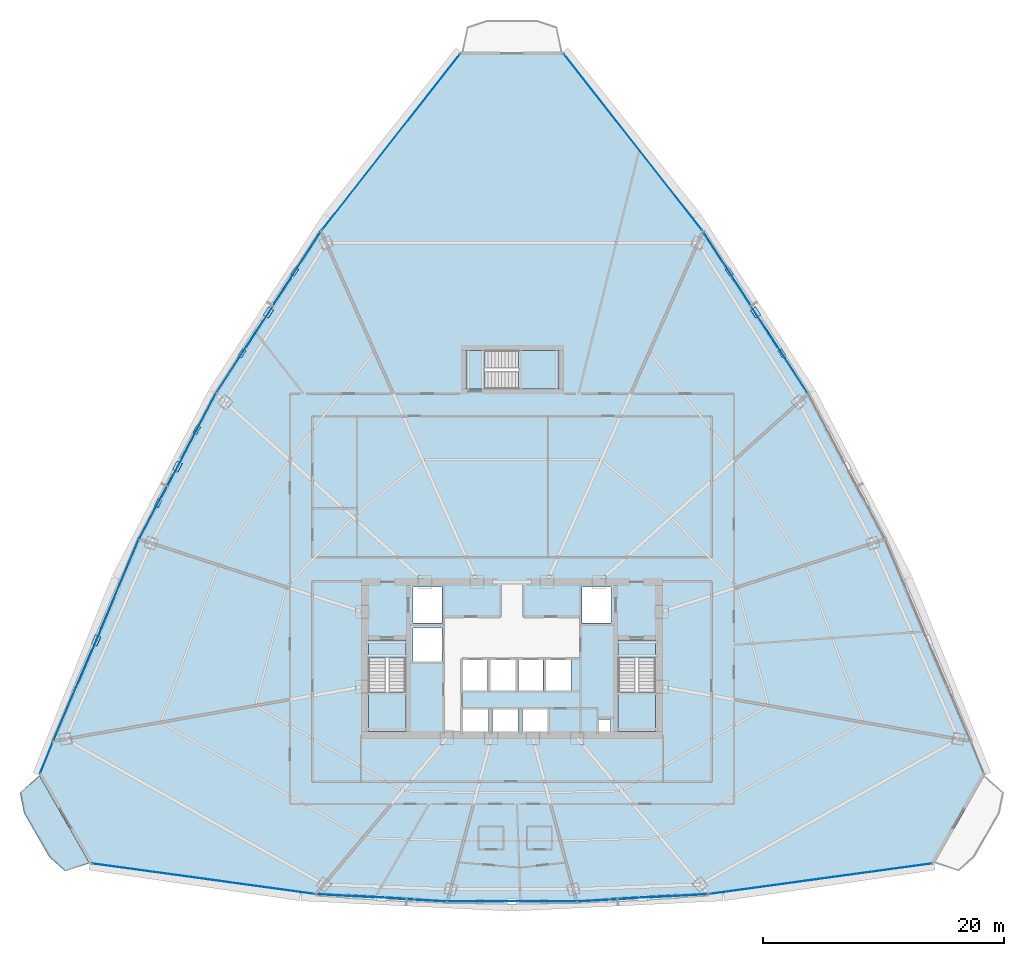
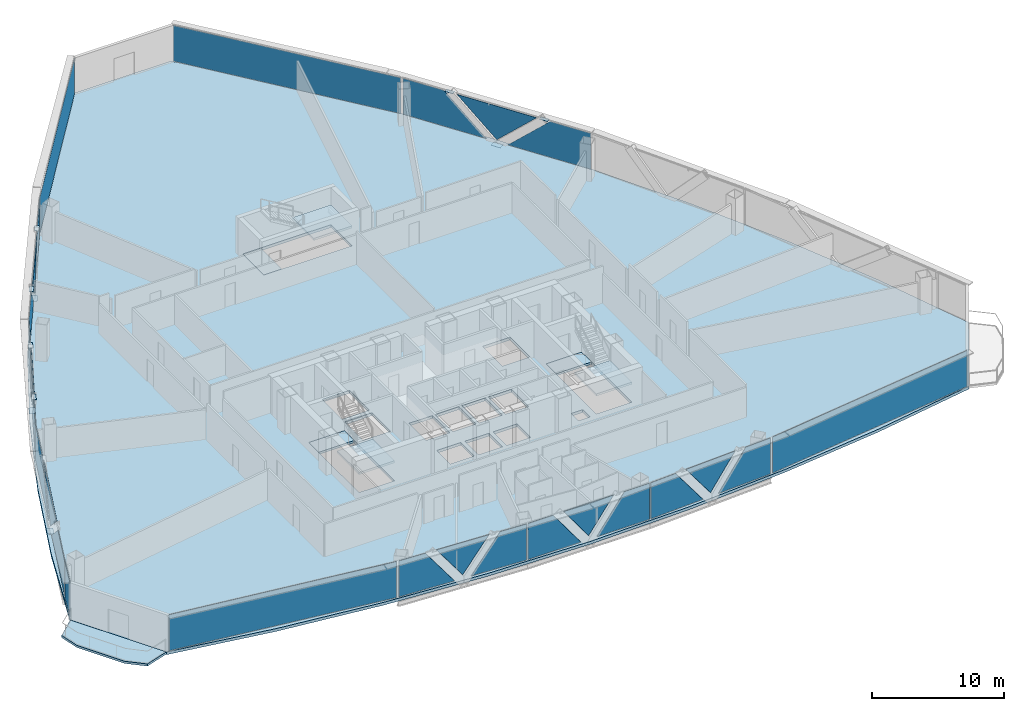
# One storey, part 30 of 39: 36 plates, 8 slabs, 15 elements without a shape of their own.
"""IFC4 building model written with IfcOpenShell, lengths in metres."""

from ifc_helpers import new_model, si_unit, direction, frame, origin, origin_2d, place, context, subcontext, project, spatial, polyline, rectangle, outline, extrude, source, transform, mapped, material, layer, layer_set, type_object, element, aggregate, save


model = new_model("IFC4")

# Units and contexts
model_context = context("Model", 3, precision=1e-05, world=origin(), true_north=direction((0.0, 1.0)))
body_context = subcontext(model_context, "Body", "Model", "MODEL_VIEW")
ifc_project = project(units=[si_unit("LENGTHUNIT", "METRE"), si_unit("AREAUNIT", "SQUARE_METRE"), si_unit("VOLUMEUNIT", "CUBIC_METRE"), si_unit("PLANEANGLEUNIT", "RADIAN"), si_unit("MASSUNIT", "GRAM", prefix="KILO"), si_unit("THERMODYNAMICTEMPERATUREUNIT", "KELVIN"), si_unit("POWERUNIT", "WATT")], contexts=[model_context])

# Site, building, storey
site_placement = place(None, origin())
site = spatial("IfcSite", under=ifc_project, at=site_placement, CompositionType="ELEMENT")
building_placement = place(site_placement, origin())
building = spatial("IfcBuilding", under=site, at=building_placement, Name="Yunzhuo Pagoda Commons", CompositionType="ELEMENT")
storey_placement = place(building_placement, frame((0.0, 0.0, 166.6298828125)))
storey = spatial("IfcBuildingStorey", under=building, at=storey_placement, Name="L42", CompositionType="ELEMENT", Elevation=166.6298828125)

# Curtain wall, plates
ifc_material_1 = material(Name="Anodized aluminium 6063-T6", Category="aluminium")
ifc_layer_1 = layer(ifc_material_1, 0.14990234375)
ifc_layer_set_1 = layer_set([ifc_layer_1], Name="Anodized aluminium 6063-T6")
curtain_wall_type = type_object("IfcCurtainWallType", Name="CW-MID Mid-Zone Ribbon Curtain Wall", PredefinedType="NOTDEFINED", material=ifc_layer_set_1)
curtain_wall_1_placement = place(storey_placement, origin())
curtain_wall_1 = element("IfcCurtainWall", 1, at=curtain_wall_1_placement, inside=storey, type_object=curtain_wall_type, Name="L42 curtain wall CW-L42-F1B2", PredefinedType="NOTDEFINED")
ifc_material_2 = material(Name="Tempered low-e double glazing", Category="glass")
ifc_layer_2 = layer(ifc_material_2, 0.028076171875)
ifc_layer_set_2 = layer_set([ifc_layer_2], Name="Tempered low-e double glazing")
plate_type_1 = type_object("IfcPlateType", Name="CW-MID-P Low-E Double Glazing 28", PredefinedType="CURTAIN_PANEL", material=ifc_layer_set_2)
plate_1_placement = place(storey_placement, frame((34.143310546875, 14.200439453125, 1.710205078125), z_axis=(-0.056298716731, -0.998413969501, 0.0), x_axis=(0.998413969501, -0.056298716731, 0.0)))
plate_1 = element("IfcPlate", 2, at=plate_1_placement, type_object=plate_type_1, Name="CW panel 1.1 lite 1", PredefinedType="CURTAIN_PANEL", context=body_context, shape_type="SweptSolid", body=[
    extrude(outline(polyline([(-2.3466796875, -1.655029296875), (2.3466796875, -1.655029296875), (-0.10888671875, 1.655029296875), (-2.3466796875, 1.655029296875), (-2.3466796875, -1.655029296875)])), origin(), (0.0, 0.0, 1.0), 0.028076171875),
])
plate_2_placement = place(storey_placement, frame((37.19384765625, 14.05859375, 1.87158203125), z_axis=(-0.056298716731, -0.998413969501, 0.0), x_axis=(0.998413969501, -0.056298716731, 0.0)))
plate_2 = element("IfcPlate", 3, at=plate_2_placement, type_object=plate_type_1, Name="CW panel 1.1 lite 2", PredefinedType="CURTAIN_PANEL", context=body_context, shape_type="SweptSolid", body=[
    extrude(outline(polyline([(-2.216064453125, 1.49365234375), (0.0, -1.49365234375), (2.216064453125, 1.49365234375), (-2.216064453125, 1.49365234375)])), origin(), (0.0, 0.0, 1.0), 0.028076171875),
])
plate_3_placement = place(storey_placement, frame((40.24072265625, 13.856689453125, 1.710205078125), z_axis=(-0.056298716731, -0.998413969501, 0.0), x_axis=(0.998413969501, -0.056298716731, 0.0)))
plate_3 = element("IfcPlate", 4, at=plate_3_placement, type_object=plate_type_1, Name="CW panel 1.1 lite 3", PredefinedType="CURTAIN_PANEL", context=body_context, shape_type="SweptSolid", body=[
    extrude(outline(polyline([(-2.3466796875, -1.655029296875), (2.3466796875, -1.655029296875), (2.3466796875, 1.655029296875), (0.10888671875, 1.655029296875), (-2.3466796875, -1.655029296875)])), origin(), (0.0, 0.0, 1.0), 0.028076171875),
])
aggregate(curtain_wall_1, [plate_1, plate_2, plate_3])

curtain_wall_2_placement = place(storey_placement, origin())
curtain_wall_2 = element("IfcCurtainWall", 5, at=curtain_wall_2_placement, inside=storey, type_object=curtain_wall_type, Name="L42 curtain wall CW-L42-F1B3", PredefinedType="NOTDEFINED")
plate_4_placement = place(storey_placement, frame((45.001708984375, 13.72119140625, 1.710205078125), z_axis=(0.0, -1.0, 0.0), x_axis=(1.0, 0.0, 0.0)))
plate_4 = element("IfcPlate", 6, at=plate_4_placement, type_object=plate_type_1, Name="CW panel 1.1 lite 1", PredefinedType="CURTAIN_PANEL", context=body_context, shape_type="SweptSolid", body=[
    extrude(outline(polyline([(-2.298828125, -1.655029296875), (2.298828125, -1.655029296875), (-0.1103515625, 1.655029296875), (-2.298828125, 1.655029296875), (-2.298828125, -1.655029296875)])), origin(), (0.0, 0.0, 1.0), 0.028076171875),
])
plate_5_placement = place(storey_placement, frame((48.0, 13.75146484375, 1.87548828125), z_axis=(0.0, -1.0, 0.0), x_axis=(1.0, 0.0, 0.0)))
plate_5 = element("IfcPlate", 7, at=plate_5_placement, type_object=plate_type_1, Name="CW panel 1.1 lite 2", PredefinedType="CURTAIN_PANEL", context=body_context, shape_type="SweptSolid", body=[
    extrude(outline(polyline([(-2.168701171875, 1.489501953125), (0.0, -1.48974609375), (2.168701171875, 1.489501953125), (-2.168701171875, 1.489501953125)])), origin(), (0.0, 0.0, 1.0), 0.028076171875),
])
plate_6_placement = place(storey_placement, frame((50.998291015625, 13.72119140625, 1.710205078125), z_axis=(0.0, -1.0, 0.0), x_axis=(1.0, 0.0, 0.0)))
plate_6 = element("IfcPlate", 8, at=plate_6_placement, type_object=plate_type_1, Name="CW panel 1.1 lite 3", PredefinedType="CURTAIN_PANEL", context=body_context, shape_type="SweptSolid", body=[
    extrude(outline(polyline([(-2.298828125, -1.655029296875), (2.298828125, -1.655029296875), (2.298828125, 1.655029296875), (0.1103515625, 1.655029296875), (-2.298828125, -1.655029296875)])), origin(), (0.0, 0.0, 1.0), 0.028076171875),
])
aggregate(curtain_wall_2, [plate_4, plate_5, plate_6])

curtain_wall_3_placement = place(storey_placement, origin())
curtain_wall_3 = element("IfcCurtainWall", 9, at=curtain_wall_3_placement, inside=storey, type_object=curtain_wall_type, Name="L42 curtain wall CW-L42-F1B4", PredefinedType="NOTDEFINED")
plate_7_placement = place(storey_placement, frame((55.75927734375, 13.856689453125, 1.710205078125), z_axis=(0.056298716731, -0.998413969501, 0.0), x_axis=(0.998413969501, 0.056298716731, 0.0)))
plate_7 = element("IfcPlate", 10, at=plate_7_placement, type_object=plate_type_1, Name="CW panel 1.1 lite 1", PredefinedType="CURTAIN_PANEL", context=body_context, shape_type="SweptSolid", body=[
    extrude(outline(polyline([(-2.3466796875, -1.655029296875), (2.3466796875, -1.655029296875), (-0.10888671875, 1.655029296875), (-2.3466796875, 1.655029296875), (-2.3466796875, -1.655029296875)])), origin(), (0.0, 0.0, 1.0), 0.028076171875),
])
plate_8_placement = place(storey_placement, frame((58.80615234375, 14.05859375, 1.87158203125), z_axis=(0.056298716731, -0.998413969501, 0.0), x_axis=(0.998413969501, 0.056298716731, 0.0)))
plate_8 = element("IfcPlate", 11, at=plate_8_placement, type_object=plate_type_1, Name="CW panel 1.1 lite 2", PredefinedType="CURTAIN_PANEL", context=body_context, shape_type="SweptSolid", body=[
    extrude(outline(polyline([(-2.216064453125, 1.49365234375), (0.0, -1.49365234375), (2.216064453125, 1.49365234375), (-2.216064453125, 1.49365234375)])), origin(), (0.0, 0.0, 1.0), 0.028076171875),
])
plate_9_placement = place(storey_placement, frame((61.856689453125, 14.200439453125, 1.710205078125), z_axis=(0.056298716731, -0.998413969501, 0.0), x_axis=(0.998413969501, 0.056298716731, 0.0)))
plate_9 = element("IfcPlate", 12, at=plate_9_placement, type_object=plate_type_1, Name="CW panel 1.1 lite 3", PredefinedType="CURTAIN_PANEL", context=body_context, shape_type="SweptSolid", body=[
    extrude(outline(polyline([(-2.3466796875, -1.655029296875), (2.3466796875, -1.655029296875), (2.3466796875, 1.655029296875), (0.10888671875, 1.655029296875), (-2.3466796875, -1.655029296875)])), origin(), (0.0, 0.0, 1.0), 0.028076171875),
])
aggregate(curtain_wall_3, [plate_7, plate_8, plate_9])

curtain_wall_4_placement = place(storey_placement, origin())
curtain_wall_4 = element("IfcCurtainWall", 13, at=curtain_wall_4_placement, inside=storey, type_object=curtain_wall_type, Name="L42 curtain wall CW-L42-F2B4", PredefinedType="NOTDEFINED")
plate_10_placement = place(storey_placement, frame((70.5859375, 58.804443359375, 1.710205078125), z_axis=(0.839466065689, 0.543412113002, 0.0), x_axis=(-0.543412113002, 0.839466065689, 0.0)))
plate_10 = element("IfcPlate", 14, at=plate_10_placement, type_object=plate_type_1, Name="CW panel 1.1 lite 1", PredefinedType="CURTAIN_PANEL", context=body_context, shape_type="SweptSolid", body=[
    extrude(outline(polyline([(-3.52587890625, -1.655029296875), (3.52587890625, -1.655029296875), (-0.07958984375, 1.655029296875), (-3.52587890625, 1.655029296875), (-3.52587890625, -1.655029296875)])), origin(), (0.0, 0.0, 1.0), 0.028076171875),
])
plate_11_placement = place(storey_placement, frame((68.15283203125, 62.5078125, 1.810546875), z_axis=(0.839466065689, 0.543412113002, 0.0), x_axis=(-0.543412113002, 0.839466065689, 0.0)))
plate_11 = element("IfcPlate", 15, at=plate_11_placement, type_object=plate_type_1, Name="CW panel 1.1 lite 2", PredefinedType="CURTAIN_PANEL", context=body_context, shape_type="SweptSolid", body=[
    extrude(outline(polyline([(-3.38671875, 1.5546875), (0.0, -1.5546875), (3.38671875, 1.5546875), (-3.38671875, 1.5546875)])), origin(), (0.0, 0.0, 1.0), 0.028076171875),
])
plate_12_placement = place(storey_placement, frame((65.770263671875, 66.243896484375, 1.710205078125), z_axis=(0.839466065689, 0.543412113002, 0.0), x_axis=(-0.543412113002, 0.839466065689, 0.0)))
plate_12 = element("IfcPlate", 16, at=plate_12_placement, type_object=plate_type_1, Name="CW panel 1.1 lite 3", PredefinedType="CURTAIN_PANEL", context=body_context, shape_type="SweptSolid", body=[
    extrude(outline(polyline([(-3.52587890625, -1.655029296875), (3.52587890625, -1.655029296875), (3.52587890625, 1.655029296875), (0.07958984375, 1.655029296875), (-3.52587890625, -1.655029296875)])), origin(), (0.0, 0.0, 1.0), 0.028076171875),
])
aggregate(curtain_wall_4, [plate_10, plate_11, plate_12])

curtain_wall_5_placement = place(storey_placement, origin())
curtain_wall_5 = element("IfcCurtainWall", 17, at=curtain_wall_5_placement, inside=storey, type_object=curtain_wall_type, Name="L42 curtain wall CW-L42-F3B2", PredefinedType="NOTDEFINED")
plate_13_placement = place(storey_placement, frame((30.229736328125, 66.243896484375, 1.710205078125), z_axis=(-0.839466065689, 0.543412113002, 0.0), x_axis=(-0.543412113002, -0.839466065689, 0.0)))
plate_13 = element("IfcPlate", 18, at=plate_13_placement, type_object=plate_type_1, Name="CW panel 1.1 lite 1", PredefinedType="CURTAIN_PANEL", context=body_context, shape_type="SweptSolid", body=[
    extrude(outline(polyline([(-3.52587890625, -1.655029296875), (3.52587890625, -1.655029296875), (-0.07958984375, 1.655029296875), (-3.52587890625, 1.655029296875), (-3.52587890625, -1.655029296875)])), origin(), (0.0, 0.0, 1.0), 0.028076171875),
])
plate_14_placement = place(storey_placement, frame((27.84716796875, 62.5078125, 1.810546875), z_axis=(-0.839466065689, 0.543412113002, 0.0), x_axis=(-0.543412113002, -0.839466065689, 0.0)))
plate_14 = element("IfcPlate", 19, at=plate_14_placement, type_object=plate_type_1, Name="CW panel 1.1 lite 2", PredefinedType="CURTAIN_PANEL", context=body_context, shape_type="SweptSolid", body=[
    extrude(outline(polyline([(-3.38671875, 1.5546875), (0.0, -1.5546875), (3.38671875, 1.5546875), (-3.38671875, 1.5546875)])), origin(), (0.0, 0.0, 1.0), 0.028076171875),
])
plate_15_placement = place(storey_placement, frame((25.4140625, 58.804443359375, 1.710205078125), z_axis=(-0.839466065689, 0.543412113002, 0.0), x_axis=(-0.543412113002, -0.839466065689, 0.0)))
plate_15 = element("IfcPlate", 20, at=plate_15_placement, type_object=plate_type_1, Name="CW panel 1.1 lite 3", PredefinedType="CURTAIN_PANEL", context=body_context, shape_type="SweptSolid", body=[
    extrude(outline(polyline([(-3.52587890625, -1.655029296875), (3.52587890625, -1.655029296875), (3.52587890625, 1.655029296875), (0.07958984375, 1.655029296875), (-3.52587890625, -1.655029296875)])), origin(), (0.0, 0.0, 1.0), 0.028076171875),
])
aggregate(curtain_wall_5, [plate_13, plate_14, plate_15])

curtain_wall_6_placement = place(storey_placement, origin())
curtain_wall_6 = element("IfcCurtainWall", 21, at=curtain_wall_6_placement, inside=storey, type_object=curtain_wall_type, Name="L42 curtain wall CW-L42-F3B3", PredefinedType="NOTDEFINED")
plate_16_placement = place(storey_placement, frame((22.04931640625, 53.1123046875, 1.710205078125), z_axis=(-0.88426270096, 0.466989802556, 0.0), x_axis=(-0.466989802556, -0.88426270096, 0.0)))
plate_16 = element("IfcPlate", 22, at=plate_16_placement, type_object=plate_type_1, Name="CW panel 1.1 lite 1", PredefinedType="CURTAIN_PANEL", context=body_context, shape_type="SweptSolid", body=[
    extrude(outline(polyline([(-2.973876953125, -1.655029296875), (2.973876953125, -1.655029296875), (-0.092041015625, 1.655029296875), (-2.973876953125, 1.655029296875), (-2.973876953125, -1.655029296875)])), origin(), (0.0, 0.0, 1.0), 0.028076171875),
])
plate_17_placement = place(storey_placement, frame((20.308837890625, 49.75244140625, 1.832275390625), z_axis=(-0.88426270096, 0.466989802556, 0.0), x_axis=(-0.466989802556, -0.88426270096, 0.0)))
plate_17 = element("IfcPlate", 23, at=plate_17_placement, type_object=plate_type_1, Name="CW panel 1.1 lite 2", PredefinedType="CURTAIN_PANEL", context=body_context, shape_type="SweptSolid", body=[
    extrude(outline(polyline([(-2.83984375, 1.532958984375), (0.0, -1.532958984375), (2.83984375, 1.532958984375), (-2.83984375, 1.532958984375)])), origin(), (0.0, 0.0, 1.0), 0.028076171875),
])
plate_18_placement = place(storey_placement, frame((18.515380859375, 46.4208984375, 1.710205078125), z_axis=(-0.88426270096, 0.466989802556, 0.0), x_axis=(-0.466989802556, -0.88426270096, 0.0)))
plate_18 = element("IfcPlate", 24, at=plate_18_placement, type_object=plate_type_1, Name="CW panel 1.1 lite 3", PredefinedType="CURTAIN_PANEL", context=body_context, shape_type="SweptSolid", body=[
    extrude(outline(polyline([(-2.97412109375, -1.655029296875), (2.973876953125, -1.655029296875), (2.973876953125, 1.655029296875), (0.092041015625, 1.655029296875), (-2.97412109375, -1.655029296875)])), origin(), (0.0, 0.0, 1.0), 0.028076171875),
])
aggregate(curtain_wall_6, [plate_16, plate_17, plate_18])

curtain_wall_7_placement = place(storey_placement, origin())
curtain_wall_7 = element("IfcCurtainWall", 25, at=curtain_wall_7_placement, inside=storey, type_object=curtain_wall_type, Name="L42 curtain wall CW-L42-F3B4", PredefinedType="NOTDEFINED")
plate_19_placement = place(storey_placement, frame((15.502197265625, 39.981201171875, 1.710205078125), z_axis=(-0.920363798122, 0.391063267395, 0.0), x_axis=(-0.391063267395, -0.920363798122, 0.0)))
plate_19 = element("IfcPlate", 26, at=plate_19_placement, type_object=plate_type_1, Name="CW panel 1.1 lite 1", PredefinedType="CURTAIN_PANEL", context=body_context, shape_type="SweptSolid", body=[
    extrude(outline(polyline([(-4.023193359375, -1.655029296875), (4.023193359375, -1.655029296875), (-0.069580078125, 1.655029296875), (-4.023193359375, 1.655029296875), (-4.023193359375, -1.655029296875)])), origin(), (0.0, 0.0, 1.0), 0.028076171875),
])
plate_20_placement = place(storey_placement, frame((13.568115234375, 35.352294921875, 1.797119140625), z_axis=(-0.920363798122, 0.391063267395, 0.0), x_axis=(-0.391063267395, -0.920363798122, 0.0)))
plate_20 = element("IfcPlate", 27, at=plate_20_placement, type_object=plate_type_1, Name="CW panel 1.1 lite 2", PredefinedType="CURTAIN_PANEL", context=body_context, shape_type="SweptSolid", body=[
    extrude(outline(polyline([(-3.877685546875, 1.568115234375), (0.0, -1.568115234375), (3.877685546875, 1.568115234375), (-3.877685546875, 1.568115234375)])), origin(), (0.0, 0.0, 1.0), 0.028076171875),
])
plate_21_placement = place(storey_placement, frame((11.578369140625, 30.74658203125, 1.710205078125), z_axis=(-0.920363798122, 0.391063267395, 0.0), x_axis=(-0.391063267395, -0.920363798122, 0.0)))
plate_21 = element("IfcPlate", 28, at=plate_21_placement, type_object=plate_type_1, Name="CW panel 1.1 lite 3", PredefinedType="CURTAIN_PANEL", context=body_context, shape_type="SweptSolid", body=[
    extrude(outline(polyline([(-4.02294921875, -1.655029296875), (4.02294921875, -1.655029296875), (4.02294921875, 1.655029296875), (0.0693359375, 1.655029296875), (-4.02294921875, -1.655029296875)])), origin(), (0.0, 0.0, 1.0), 0.028076171875),
])
aggregate(curtain_wall_7, [plate_19, plate_20, plate_21])

# Slab
ifc_material_3 = material(Name="Concrete C40", Category="concrete")
ifc_layer_3 = layer(ifc_material_3, 0.199951171875)
ifc_layer_set_3 = layer_set([ifc_layer_3], Name="Concrete C40")
slab_type_1 = type_object("IfcSlabType", Name="SL-BAL Vertex Balcony Deck Slab 200", PredefinedType="FLOOR", material=ifc_layer_set_3)
slab_1_placement = place(storey_placement, frame((0.0, 0.0, -0.199951171875)))
element("IfcSlab", 29, at=slab_1_placement, inside=storey, type_object=slab_type_1, Name="L42 corner balcony V1", PredefinedType="FLOOR", context=body_context, shape_type="SweptSolid", body=[
    extrude(outline(polyline([(8.81396484375, 24.16455078125), (12.994384765625, 16.883544921875), (10.95361328125, 16.230712890625), (9.655517578125, 17.38671875), (7.565185546875, 21.02734375), (7.22119140625, 22.731201171875), (8.81396484375, 24.16455078125)])), origin(), (0.0, 0.0, 1.0), 0.199951171875),
])

# Stair, slabs
stair_type_1 = type_object("IfcStairType", Name="ST-C1 Core Smokeproof Stair ST1", PredefinedType="HALF_TURN_STAIR", material=ifc_material_3)
stair_1_placement = place(storey_placement, origin())
stair_1 = element("IfcStair", 30, at=stair_1_placement, inside=storey, type_object=stair_type_1, Name="L42 Core smokeproof stair ST1", PredefinedType="HALF_TURN_STAIR")
ifc_layer_4 = layer(ifc_material_3, 0.199951171875)
ifc_layer_set_4 = layer_set([ifc_layer_4], Name="Concrete C40")
slab_type_2 = type_object("IfcSlabType", Name="SL-LND1 Stair Landing Slab 200", PredefinedType="LANDING", material=ifc_layer_set_4)
slab_2_placement = place(storey_placement, frame((0.0, 0.0, 1.64013671875)))
slab_2 = element("IfcSlab", 31, at=slab_2_placement, type_object=slab_type_2, Name="ST1 landing 1", PredefinedType="LANDING", context=body_context, shape_type="SweptSolid", body=[
    extrude(outline(polyline([(36.10009765625, 31.10009765625), (36.10009765625, 27.800048828125), (39.199951171875, 27.800048828125), (39.199951171875, 31.10009765625), (36.10009765625, 31.10009765625)])), origin(), (0.0, 0.0, 1.0), 0.199951171875),
])
slab_3_placement = place(storey_placement, frame((0.0, 0.0, -0.199951171875)))
slab_3 = element("IfcSlab", 32, at=slab_3_placement, type_object=slab_type_2, Name="ST1 floor landing L42", PredefinedType="LANDING", context=body_context, shape_type="SweptSolid", body=[
    extrude(outline(polyline([(36.10009765625, 35.39990234375), (36.10009765625, 33.89990234375), (39.199951171875, 33.89990234375), (39.199951171875, 35.39990234375), (36.10009765625, 35.39990234375)])), origin(), (0.0, 0.0, 1.0), 0.199951171875),
])
aggregate(stair_1, [slab_2, slab_3])

stair_type_2 = type_object("IfcStairType", Name="ST-C2 Core Smokeproof Stair ST2", PredefinedType="HALF_TURN_STAIR", material=ifc_material_3)
stair_2_placement = place(storey_placement, origin())
stair_2 = element("IfcStair", 33, at=stair_2_placement, inside=storey, type_object=stair_type_2, Name="L42 Core smokeproof stair ST2", PredefinedType="HALF_TURN_STAIR")
ifc_layer_5 = layer(ifc_material_3, 0.201904296875)
ifc_layer_set_5 = layer_set([ifc_layer_5], Name="Concrete C40")
slab_type_3 = type_object("IfcSlabType", Name="SL-LND2 Stair Landing Slab 202", PredefinedType="LANDING", material=ifc_layer_set_5)
slab_4_placement = place(storey_placement, frame((0.0, 0.0, 1.64013671875)))
slab_4 = element("IfcSlab", 34, at=slab_4_placement, type_object=slab_type_3, Name="ST2 landing 1", PredefinedType="LANDING", context=body_context, shape_type="SweptSolid", body=[
    extrude(outline(polyline([(56.800048828125, 31.10009765625), (56.800048828125, 27.800048828125), (59.89990234375, 27.800048828125), (59.89990234375, 31.10009765625), (56.800048828125, 31.10009765625)])), origin(), (0.0, 0.0, 1.0), 0.199951171875),
])
slab_5_placement = place(storey_placement, frame((0.0, 0.0, -0.199951171875)))
slab_5 = element("IfcSlab", 35, at=slab_5_placement, type_object=slab_type_3, Name="ST2 floor landing L42", PredefinedType="LANDING", context=body_context, shape_type="SweptSolid", body=[
    extrude(outline(polyline([(56.800048828125, 35.39990234375), (56.800048828125, 33.89990234375), (59.89990234375, 33.89990234375), (59.89990234375, 35.39990234375), (56.800048828125, 35.39990234375)])), origin(), (0.0, 0.0, 1.0), 0.199951171875),
])
aggregate(stair_2, [slab_4, slab_5])

stair_type_3 = type_object("IfcStairType", Name="ST-C3 North Tower Smokeproof Stair ST3", PredefinedType="HALF_TURN_STAIR", material=ifc_material_3)
stair_3_placement = place(storey_placement, origin())
stair_3 = element("IfcStair", 36, at=stair_3_placement, inside=storey, type_object=stair_type_3, Name="L42 North tower smokeproof stair ST3", PredefinedType="HALF_TURN_STAIR")
ifc_layer_6 = layer(ifc_material_3, 0.2041015625)
ifc_layer_set_6 = layer_set([ifc_layer_6], Name="Concrete C40")
slab_type_4 = type_object("IfcSlabType", Name="SL-LND5 North Landing Slab 204", PredefinedType="LANDING", material=ifc_layer_set_6)
slab_6_placement = place(storey_placement, frame((0.0, 0.0, 1.64013671875)))
slab_6 = element("IfcSlab", 37, at=slab_6_placement, type_object=slab_type_4, Name="ST3 landing 1", PredefinedType="LANDING", context=body_context, shape_type="SweptSolid", body=[
    extrude(outline(polyline([(48.550048828125, 56.199951171875), (51.89990234375, 56.199951171875), (51.89990234375, 59.39990234375), (48.550048828125, 59.39990234375), (48.550048828125, 56.199951171875)])), origin(), (0.0, 0.0, 1.0), 0.199951171875),
])
slab_7_placement = place(storey_placement, frame((0.0, 0.0, -0.199951171875)))
slab_7 = element("IfcSlab", 38, at=slab_7_placement, type_object=slab_type_4, Name="ST3 floor landing L42", PredefinedType="LANDING", context=body_context, shape_type="SweptSolid", body=[
    extrude(outline(polyline([(44.199951171875, 56.199951171875), (45.75, 56.199951171875), (45.75, 59.39990234375), (44.199951171875, 59.39990234375), (44.199951171875, 56.199951171875)])), origin(), (0.0, 0.0, 1.0), 0.199951171875),
])
aggregate(stair_3, [slab_6, slab_7])

# Slab
ifc_layer_7 = layer(ifc_material_3, 0.260009765625)
ifc_layer_set_7 = layer_set([ifc_layer_7], Name="Concrete C40")
slab_type_5 = type_object("IfcSlabType", Name="SL-TWR Typical Tower Floor Slab 260", PredefinedType="FLOOR", material=ifc_layer_set_7)
slab_8_placement = place(storey_placement, frame((0.0, 0.0, -0.259765625)))
element("IfcSlab", 39, at=slab_8_placement, inside=storey, type_object=slab_type_5, Name="L42 structural floor slab", PredefinedType="FLOOR", context=body_context, shape_type="SweptSolid", body=[
    extrude(outline(polyline([(11.90625, 32.41357421875), (15.362060546875, 40.4453125), (19.185546875, 48.262451171875), (23.376953125, 55.86474609375), (27.935791015625, 63.252685546875), (32.86279296875, 70.42578125), (38.1572265625, 77.384033203125), (43.8193359375, 84.1279296875), (52.1806640625, 84.1279296875), (57.8427734375, 77.384033203125), (63.13720703125, 70.42578125), (68.064208984375, 63.252685546875), (72.623046875, 55.86474609375), (76.814453125, 48.262451171875), (80.637939453125, 40.4453125), (84.09375, 32.41357421875), (87.181884765625, 24.1669921875), (83.001220703125, 16.885986328125), (74.2509765625, 15.395751953125), (65.50048828125, 14.331298828125), (56.750244140625, 13.6923828125), (48.0, 13.4794921875), (39.249755859375, 13.6923828125), (30.49951171875, 14.331298828125), (21.7490234375, 15.395751953125), (12.998779296875, 16.885986328125), (8.818115234375, 24.1669921875), (11.90625, 32.41357421875)]), holes=[polyline([(46.050048828125, 29.64990234375), (43.949951171875, 29.64990234375), (43.949951171875, 27.60009765625), (46.050048828125, 27.60009765625), (46.050048828125, 29.64990234375)]), polyline([(48.5, 27.60009765625), (48.5, 29.64990234375), (46.39990234375, 29.64990234375), (46.39990234375, 27.60009765625), (48.5, 27.60009765625)]), polyline([(36.10009765625, 27.800048828125), (39.199951171875, 27.800048828125), (39.199951171875, 35.39990234375), (36.10009765625, 35.39990234375), (36.10009765625, 27.800048828125)]), polyline([(45.969970703125, 31.199951171875), (45.969970703125, 33.800048828125), (43.929931640625, 33.800048828125), (43.929931640625, 31.199951171875), (45.969970703125, 31.199951171875)]), polyline([(48.27001953125, 31.199951171875), (48.27001953125, 33.800048828125), (46.22998046875, 33.800048828125), (46.22998046875, 31.199951171875), (48.27001953125, 31.199951171875)]), polyline([(42.199951171875, 33.60009765625), (42.199951171875, 36.39990234375), (39.800048828125, 36.39990234375), (39.800048828125, 33.60009765625), (42.199951171875, 33.60009765625)]), polyline([(42.199951171875, 36.800048828125), (42.199951171875, 39.800048828125), (39.800048828125, 39.800048828125), (39.800048828125, 36.800048828125), (42.199951171875, 36.800048828125)]), polyline([(56.179931640625, 28.800048828125), (55.179931640625, 28.800048828125), (55.179931640625, 27.699951171875), (56.179931640625, 27.699951171875), (56.179931640625, 28.800048828125)]), polyline([(50.949951171875, 27.60009765625), (50.949951171875, 29.64990234375), (48.85009765625, 29.64990234375), (48.85009765625, 27.60009765625), (50.949951171875, 27.60009765625)]), polyline([(56.800048828125, 27.800048828125), (59.89990234375, 27.800048828125), (59.89990234375, 35.39990234375), (56.800048828125, 35.39990234375), (56.800048828125, 27.800048828125)]), polyline([(50.570068359375, 31.199951171875), (50.570068359375, 33.800048828125), (48.530029296875, 33.800048828125), (48.530029296875, 31.199951171875), (50.570068359375, 31.199951171875)]), polyline([(52.8701171875, 31.199951171875), (52.8701171875, 33.800048828125), (50.830078125, 33.800048828125), (50.830078125, 31.199951171875), (52.8701171875, 31.199951171875)]), polyline([(56.199951171875, 36.800048828125), (56.199951171875, 39.800048828125), (53.800048828125, 39.800048828125), (53.800048828125, 36.800048828125), (56.199951171875, 36.800048828125)]), polyline([(51.89990234375, 56.199951171875), (51.89990234375, 59.39990234375), (44.199951171875, 59.39990234375), (44.199951171875, 56.199951171875), (51.89990234375, 56.199951171875)])]), origin(), (0.0, 0.0, 1.0), 0.259765625),
])

# Plates
ifc_material_4 = material(Name="Structural steel Q355B", Category="steel")
ifc_layer_8 = layer(ifc_material_4, 0.028076171875)
ifc_layer_set_8 = layer_set([ifc_layer_8], Name="Structural steel Q355B")
plate_type_2 = type_object("IfcPlateType", Name="SP-ND1 Lattice Node Cap Plate 800x500x28", PredefinedType="USERDEFINED", material=ifc_layer_set_8)
shared_shape_1 = source(origin(), body_context, "Body", "SweptSolid", [
    extrude(rectangle(XDim=0.800048828125, YDim=0.5, at=origin_2d()), origin(), (0.0, 0.0, 1.0), 0.028076171875),
])
for number, where, z_axis, x_axis, name in (
    (40, (68.189697265625, 62.53173828125, -0.27392578125), (0.0, 0.0, 1.0), (-0.543408894866, 0.839468148878, 0.0), "L42 diamond node plate F2.3A"),
    (41, (27.810302734375, 62.53173828125, -0.27392578125), (0.0, 0.0, 1.0), (-0.543408894866, -0.839468148878, 0.0), "L42 diamond node plate F3.1A"),
    (42, (20.269775390625, 49.773193359375, -0.27392578125), (0.0, 0.0, 1.0), (-0.46698864742, -0.884263311, 0.0), "L42 diamond node plate F3.2A"),
    (43, (13.52734375, 35.369384765625, -0.27392578125), (0.0, 0.0, 1.0), (-0.391068484887, -0.920361581189, 0.0), "L42 diamond node plate F3.3A"),
):
    element("IfcPlate", number, at=place(storey_placement, frame(where, z_axis=z_axis, x_axis=x_axis)), inside=storey, type_object=plate_type_2, Name=name, ObjectType="STIFFENER_PLATE", PredefinedType="USERDEFINED", context=body_context, shape_type="MappedRepresentation", body=[
        mapped(shared_shape_1, transform((0.0, 0.0, 0.0), scale=1.0)),
    ])
shared_shape_2 = source(origin(), body_context, "Body", "SweptSolid", [
    extrude(rectangle(XDim=0.699951171875, YDim=0.35009765625, at=origin_2d()), origin(), (0.0, 0.0, 1.0), 0.035888671875),
])
for number, where, z_axis, x_axis, name in (
    (44, (70.3681640625, 59.166748046875, 3.38232421875), (0.0, 0.0, 1.0), (-0.543408894866, 0.839468148878, 0.0), "L42 setback lattice tie plate F2.3L"),
    (45, (66.011474609375, 65.89697265625, 3.38232421875), (0.0, 0.0, 1.0), (-0.543408894866, 0.839468148878, 0.0), "L42 setback lattice tie plate F2.3R"),
    (46, (29.988525390625, 65.89697265625, 3.38232421875), (0.0, 0.0, 1.0), (-0.543408894866, -0.839468148878, 0.0), "L42 setback lattice tie plate F3.1L"),
    (47, (25.6318359375, 59.166748046875, 3.38232421875), (0.0, 0.0, 1.0), (-0.543408894866, -0.839468148878, 0.0), "L42 setback lattice tie plate F3.1R"),
    (48, (21.86181640625, 52.787353515625, 3.38232421875), (0.0, 0.0, 1.0), (-0.46698864742, -0.884263311, 0.0), "L42 setback lattice tie plate F3.2L"),
    (49, (18.677978515625, 46.7587890625, 3.38232421875), (0.0, 0.0, 1.0), (-0.46698864742, -0.884263311, 0.0), "L42 setback lattice tie plate F3.2R"),
):
    element("IfcPlate", number, at=place(storey_placement, frame(where, z_axis=z_axis, x_axis=x_axis)), inside=storey, type_object=plate_type_2, Name=name, ObjectType="STIFFENER_PLATE", PredefinedType="USERDEFINED", context=body_context, shape_type="MappedRepresentation", body=[
        mapped(shared_shape_2, transform((0.0, 0.0, 0.0), scale=1.0)),
    ])

# Curtain wall, plate
curtain_wall_8_placement = place(storey_placement, origin())
curtain_wall_8 = element("IfcCurtainWall", 50, at=curtain_wall_8_placement, inside=storey, type_object=curtain_wall_type, Name="L42 curtain wall CW-L42-F1B1", PredefinedType="NOTDEFINED")
shared_shape_3 = source(origin(), body_context, "Body", "SweptSolid", [
    extrude(rectangle(XDim=18.559814453125, YDim=0.028076171875, at=origin_2d()), origin(), (0.0, 0.0, 1.0), 3.31005859375),
])
plate_22_placement = place(storey_placement, frame((22.412109375, 15.600341796875, 0.05517578125), z_axis=(0.0, 0.0, 1.0), x_axis=(0.990740757976, -0.135767265879, 0.0)))
plate_22 = element("IfcPlate", 51, at=plate_22_placement, type_object=plate_type_1, Name="CW panel 1.1", PredefinedType="CURTAIN_PANEL", context=body_context, shape_type="MappedRepresentation", body=[
    mapped(shared_shape_3, transform((0.0, 0.0, 0.0), scale=1.0)),
])
aggregate(curtain_wall_8, [plate_22])

curtain_wall_9_placement = place(storey_placement, origin())
curtain_wall_9 = element("IfcCurtainWall", 52, at=curtain_wall_9_placement, inside=storey, type_object=curtain_wall_type, Name="L42 curtain wall CW-L42-F1B5", PredefinedType="NOTDEFINED")
plate_23_placement = place(storey_placement, frame((73.587890625, 15.600341796875, 0.05517578125), z_axis=(0.0, 0.0, 1.0), x_axis=(0.990740757976, 0.135767265879, 0.0)))
plate_23 = element("IfcPlate", 53, at=plate_23_placement, type_object=plate_type_1, Name="CW panel 1.1", PredefinedType="CURTAIN_PANEL", context=body_context, shape_type="MappedRepresentation", body=[
    mapped(shared_shape_3, transform((0.0, 0.0, 0.0), scale=1.0)),
])
aggregate(curtain_wall_9, [plate_23])

curtain_wall_10_placement = place(storey_placement, origin())
curtain_wall_10 = element("IfcCurtainWall", 54, at=curtain_wall_10_placement, inside=storey, type_object=curtain_wall_type, Name="L42 curtain wall CW-L42-F3B5", PredefinedType="NOTDEFINED")
shared_shape_4 = source(origin(), body_context, "Body", "SweptSolid", [
    extrude(rectangle(XDim=2.6962890625, YDim=0.028076171875, at=origin_2d()), origin(), (0.0, 0.0, 1.0), 3.31005859375),
])
plate_24_placement = place(storey_placement, frame((9.412109375, 25.619384765625, 0.05517578125), z_axis=(0.0, 0.0, 1.0), x_axis=(-0.375317697594, -0.926896232527, 0.0)))
plate_24 = element("IfcPlate", 55, at=plate_24_placement, type_object=plate_type_1, Name="CW panel 1.1", PredefinedType="CURTAIN_PANEL", context=body_context, shape_type="MappedRepresentation", body=[
    mapped(shared_shape_4, transform((0.0, 0.0, 0.0), scale=1.0)),
])
aggregate(curtain_wall_10, [plate_24])

curtain_wall_11_placement = place(storey_placement, origin())
curtain_wall_11 = element("IfcCurtainWall", 56, at=curtain_wall_11_placement, inside=storey, type_object=curtain_wall_type, Name="L42 curtain wall CW-L42-F2B5", PredefinedType="NOTDEFINED")
shared_shape_5 = source(origin(), body_context, "Body", "SweptSolid", [
    extrude(rectangle(XDim=18.53271484375, YDim=0.028076171875, at=origin_2d()), origin(), (0.0, 0.0, 1.0), 3.31005859375),
])
plate_25_placement = place(storey_placement, frame((58.03125, 76.659423828125, 0.05517578125), z_axis=(0.0, 0.0, 1.0), x_axis=(-0.617137527071, 0.786855306064, 0.0)))
plate_25 = element("IfcPlate", 57, at=plate_25_placement, type_object=plate_type_1, Name="CW panel 1.1", PredefinedType="CURTAIN_PANEL", context=body_context, shape_type="MappedRepresentation", body=[
    mapped(shared_shape_5, transform((0.0, 0.0, 0.0), scale=1.0)),
])
aggregate(curtain_wall_11, [plate_25])

curtain_wall_12_placement = place(storey_placement, origin())
curtain_wall_12 = element("IfcCurtainWall", 58, at=curtain_wall_12_placement, inside=storey, type_object=curtain_wall_type, Name="L42 curtain wall CW-L42-F3B1", PredefinedType="NOTDEFINED")
plate_26_placement = place(storey_placement, frame((37.96875, 76.659423828125, 0.05517578125), z_axis=(0.0, 0.0, 1.0), x_axis=(-0.617137527071, -0.786855306064, 0.0)))
plate_26 = element("IfcPlate", 59, at=plate_26_placement, type_object=plate_type_1, Name="CW panel 1.1", PredefinedType="CURTAIN_PANEL", context=body_context, shape_type="MappedRepresentation", body=[
    mapped(shared_shape_5, transform((0.0, 0.0, 0.0), scale=1.0)),
])
aggregate(curtain_wall_12, [plate_26])

save(model, "model.ifc")
